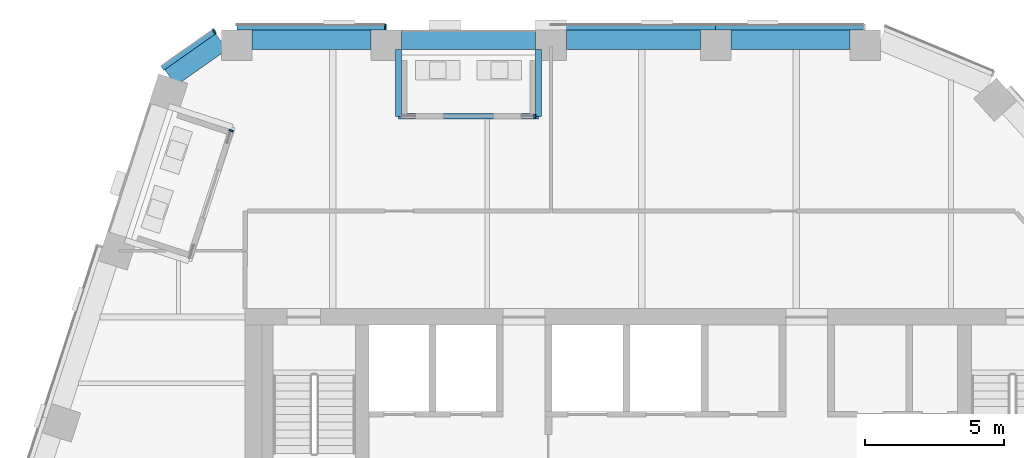
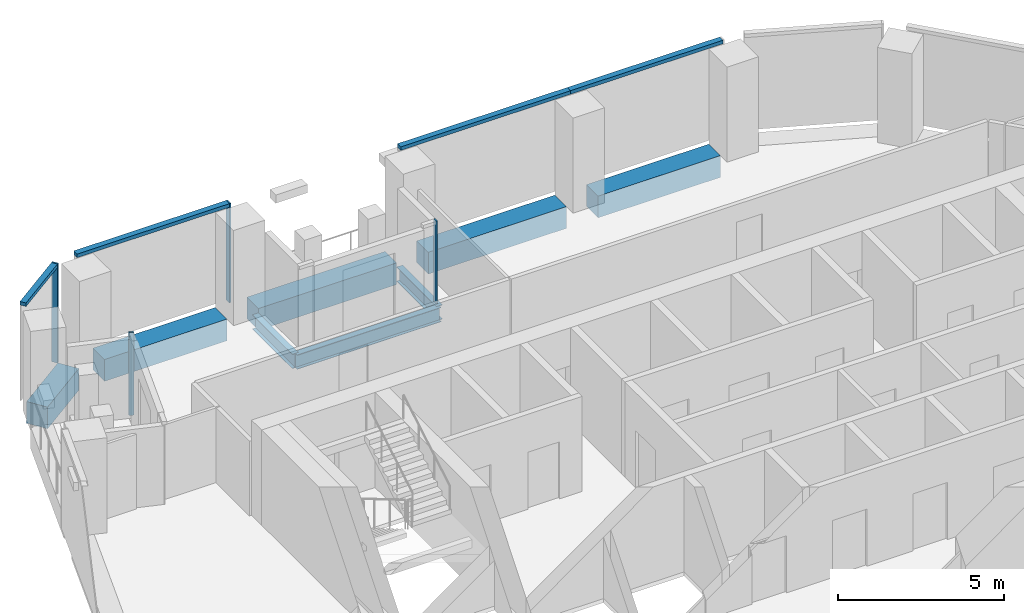
# One storey, part 8 of 25: 8 beams, 8 members, 4 elements without a shape of their own.
"""IFC4 building model written with IfcOpenShell, lengths in metres."""

from ifc_helpers import new_model, si_unit, direction, frame, origin, origin_2d, place, context, subcontext, project, spatial, rectangle, i_section, extrude, material, layer, layer_set, material_profile, profile_set, type_object, element, aggregate, save


model = new_model("IFC4")

# Units and contexts
model_context = context("Model", 3, precision=1e-05, world=origin(), true_north=direction((0.0, 1.0)))
body_context = subcontext(model_context, "Body", "Model", "MODEL_VIEW")
ifc_project = project(units=[si_unit("LENGTHUNIT", "METRE"), si_unit("AREAUNIT", "SQUARE_METRE"), si_unit("VOLUMEUNIT", "CUBIC_METRE"), si_unit("PLANEANGLEUNIT", "RADIAN"), si_unit("MASSUNIT", "GRAM", prefix="KILO")], contexts=[model_context])

# Site, building, storey
site_placement = place(None, origin())
site = spatial("IfcSite", under=ifc_project, at=site_placement, CompositionType="ELEMENT")
building_placement = place(site_placement, origin())
building = spatial("IfcBuilding", under=site, at=building_placement, Name="Isthmus Gate Tower", CompositionType="ELEMENT")
storey_placement = place(building_placement, frame((0.0, 0.0, 249.14990234375)))
storey = spatial("IfcBuildingStorey", under=building, at=storey_placement, Name="L63", CompositionType="ELEMENT", Elevation=249.14990234375)

# Curtain wall, member
ifc_material_1 = material(Name="Aluminium, pale champagne anodised", Category="aluminium")
ifc_layer_1 = layer(ifc_material_1, 0.199951171875)
ifc_layer_set_1 = layer_set([ifc_layer_1], Name="CW-1 UNITISED CURTAIN WALL 200 DEEP")
curtain_wall_type_1 = type_object("IfcCurtainWallType", Name="CW-1 UNITISED CURTAIN WALL 200 DEEP", PredefinedType="NOTDEFINED", material=ifc_layer_set_1)
curtain_wall_1_placement = place(storey_placement, origin())
curtain_wall_1 = element("IfcCurtainWall", 1, at=curtain_wall_1_placement, inside=storey, type_object=curtain_wall_type_1, Name="CW-1 N L63", PredefinedType="NOTDEFINED")
ifc_material_2 = material(Name="Aluminium, pale champagne anodised", Category="aluminium")
ifc_material_profile_1 = material_profile(ifc_material_2, rectangle(XDim=0.06005859375, YDim=0.199951171875, at=origin_2d()), Name="60x200")
ifc_profile_set_1 = profile_set([ifc_material_profile_1], Name="Aluminium, pale champagne anodised")
member_type_1 = type_object("IfcMemberType", Name="CW-1 MULLION 60 X 200", PredefinedType="MULLION", material=ifc_profile_set_1)
member_1_placement = place(storey_placement, frame((-9.970703125, 25.10009765625, 0.0), z_axis=(0.0, 0.0, 1.0), x_axis=(-1.0, 0.0, 0.0)))
member_1 = element("IfcMember", 2, at=member_1_placement, type_object=member_type_1, Name="CW-1 mullion", PredefinedType="MULLION", context=body_context, shape_type="SweptSolid", body=[
    extrude(rectangle(XDim=0.06005859375, YDim=0.199951171875, at=origin_2d()), origin(), (0.0, 0.0, 1.0), 3.650146484375),
])

curtain_wall_2_placement = place(storey_placement, origin())
curtain_wall_2 = element("IfcCurtainWall", 3, at=curtain_wall_2_placement, inside=storey, type_object=curtain_wall_type_1, Name="CW-1 N-NW L63", PredefinedType="NOTDEFINED")
member_2_placement = place(storey_placement, frame((-16.10595703125, 24.943115234375, 0.0), z_axis=(0.0, 0.0, 1.0), x_axis=(-0.81785959165, -0.57541783805, 0.0)))
member_2 = element("IfcMember", 4, at=member_2_placement, type_object=member_type_1, Name="CW-1 mullion", PredefinedType="MULLION", context=body_context, shape_type="SweptSolid", body=[
    extrude(rectangle(XDim=0.06005859375, YDim=0.199951171875, at=origin_2d()), origin(), (0.0, 0.0, 1.0), 3.650146484375),
])

# Member
ifc_material_3 = material(Name="Aluminium, pale champagne anodised", Category="aluminium")
ifc_material_profile_2 = material_profile(ifc_material_3, rectangle(XDim=0.199951171875, YDim=0.1298828125, at=origin_2d()), Name="200x130")
ifc_profile_set_2 = profile_set([ifc_material_profile_2], Name="Aluminium, pale champagne anodised")
member_type_2 = type_object("IfcMemberType", Name="CW-1 TRANSOM 200 X 130", PredefinedType="USERDEFINED", material=ifc_profile_set_2)
member_3_placement = place(storey_placement, frame((7.18115234375, 25.10009765625, 3.585205078125), z_axis=(-1.0, 0.0, 0.0), x_axis=(0.0, -1.0, 0.0)))
member_3 = element("IfcMember", 5, at=member_3_placement, type_object=member_type_2, Name="CW-1 transom", ObjectType="TRANSOM", PredefinedType="USERDEFINED", context=body_context, shape_type="SweptSolid", body=[
    extrude(rectangle(XDim=0.199951171875, YDim=0.1298828125, at=origin_2d()), origin(), (0.0, 0.0, 1.0), 5.300537109375),
])

member_4_placement = place(storey_placement, frame((1.880615234375, 25.10009765625, 3.585205078125), z_axis=(-1.0, 0.0, 0.0), x_axis=(0.0, -1.0, 0.0)))
member_4 = element("IfcMember", 6, at=member_4_placement, type_object=member_type_2, Name="CW-1 transom", ObjectType="TRANSOM", PredefinedType="USERDEFINED", context=body_context, shape_type="SweptSolid", body=[
    extrude(rectangle(XDim=0.199951171875, YDim=0.1298828125, at=origin_2d()), origin(), (0.0, 0.0, 1.0), 5.91064453125),
])

member_5_placement = place(storey_placement, frame((-10.000732421875, 25.10009765625, 3.585205078125), z_axis=(-1.0, 0.0, 0.0), x_axis=(0.0, -1.0, 0.0)))
member_5 = element("IfcMember", 7, at=member_5_placement, type_object=member_type_2, Name="CW-1 transom", ObjectType="TRANSOM", PredefinedType="USERDEFINED", context=body_context, shape_type="SweptSolid", body=[
    extrude(rectangle(XDim=0.199951171875, YDim=0.1298828125, at=origin_2d()), origin(), (0.0, 0.0, 1.0), 5.300537109375),
])

aggregate(curtain_wall_1, [member_3, member_4, member_1, member_5])

member_6_placement = place(storey_placement, frame((-16.130615234375, 24.92578125, 3.585205078125), z_axis=(-0.817868595604, -0.575405040233, 0.0), x_axis=(0.575405040233, -0.817868595604, 0.0)))
member_6 = element("IfcMember", 8, at=member_6_placement, type_object=member_type_2, Name="CW-1 transom", ObjectType="TRANSOM", PredefinedType="USERDEFINED", context=body_context, shape_type="SweptSolid", body=[
    extrude(rectangle(XDim=0.199951171875, YDim=0.1298828125, at=origin_2d()), origin(), (0.0, 0.0, 1.0), 2.258544921875),
])

aggregate(curtain_wall_2, [member_2, member_6])

# Curtain wall, member
ifc_material_4 = material(Name="Aluminium, pale champagne anodised", Category="aluminium")
ifc_layer_2 = layer(ifc_material_4, 0.14990234375)
ifc_layer_set_2 = layer_set([ifc_layer_2], Name="CW-6 LOGGIA BACK WALL GLAZING 150 DEEP")
curtain_wall_type_2 = type_object("IfcCurtainWallType", Name="CW-6 LOGGIA BACK WALL GLAZING 150 DEEP", PredefinedType="NOTDEFINED", material=ifc_layer_set_2)
curtain_wall_3_placement = place(storey_placement, origin())
curtain_wall_3 = element("IfcCurtainWall", 9, at=curtain_wall_3_placement, inside=storey, type_object=curtain_wall_type_2, Name="CW-6 N L63", PredefinedType="NOTDEFINED")
ifc_material_5 = material(Name="Aluminium, pale champagne anodised", Category="aluminium")
ifc_material_profile_3 = material_profile(ifc_material_5, rectangle(XDim=0.06005859375, YDim=0.14990234375, at=origin_2d()), Name="60x150")
ifc_profile_set_3 = profile_set([ifc_material_profile_3], Name="Aluminium, pale champagne anodised")
member_type_3 = type_object("IfcMemberType", Name="CW-6 MULLION 60 X 150", PredefinedType="MULLION", material=ifc_profile_set_3)
member_7_placement = place(storey_placement, frame((-4.610107421875, 21.89990234375, 0.0), z_axis=(0.0, 0.0, 1.0), x_axis=(-1.0, 0.0, 0.0)))
member_7 = element("IfcMember", 10, at=member_7_placement, type_object=member_type_3, Name="CW-6 mullion", PredefinedType="MULLION", context=body_context, shape_type="SweptSolid", body=[
    extrude(rectangle(XDim=0.06005859375, YDim=0.14990234375, at=origin_2d()), origin(), (0.0, 0.0, 1.0), 3.050048828125),
])
aggregate(curtain_wall_3, [member_7])

curtain_wall_4_placement = place(storey_placement, origin())
curtain_wall_4 = element("IfcCurtainWall", 11, at=curtain_wall_4_placement, inside=storey, type_object=curtain_wall_type_2, Name="CW-6 NW L63", PredefinedType="NOTDEFINED")
member_8_placement = place(storey_placement, frame((-15.505126953125, 21.38232421875, 0.0), z_axis=(0.0, 0.0, 1.0), x_axis=(-0.309016994375, -0.951056516295, 0.0)))
member_8 = element("IfcMember", 12, at=member_8_placement, type_object=member_type_3, Name="CW-6 mullion", PredefinedType="MULLION", context=body_context, shape_type="SweptSolid", body=[
    extrude(rectangle(XDim=0.06005859375, YDim=0.14990234375, at=origin_2d()), origin(), (0.0, 0.0, 1.0), 3.050048828125),
])
aggregate(curtain_wall_4, [member_8])

# Beams
ifc_material_6 = material(Name="Concrete f'c 50 MPa", Category="concrete")
ifc_material_profile_4 = material_profile(ifc_material_6, rectangle(XDim=0.699951171875, YDim=0.800048828125, at=origin_2d()), Name="RC 700X800")
ifc_profile_set_4 = profile_set([ifc_material_profile_4], Name="Concrete f'c 50 MPa")
beam_type_1 = type_object("IfcBeamType", Name="RC SPANDREL 700 X 800", PredefinedType="SPANDREL", material=ifc_profile_set_4)
beam_1_placement = place(storey_placement, frame((-17.68798828125, 23.27978515625, -0.39990234375), z_axis=(0.817855686701, 0.575423388237, 0.0), x_axis=(-0.575423388237, 0.817855686701, 0.0)))
element("IfcBeam", 13, at=beam_1_placement, inside=storey, type_object=beam_type_1, Name="str-spandrel-L63-25", PredefinedType="SPANDREL", context=body_context, shape_type="SweptSolid", body=[
    extrude(rectangle(XDim=0.699951171875, YDim=0.800048828125, at=origin_2d()), origin(), (0.0, 0.0, 1.0), 2.24560546875),
])
beam_2_placement = place(storey_placement, frame((-14.751220703125, 24.64990234375, -0.39990234375), z_axis=(1.0, 0.0, 0.0), x_axis=(0.0, 1.0, 0.0)))
element("IfcBeam", 14, at=beam_2_placement, inside=storey, type_object=beam_type_1, Name="str-spandrel-L63-26", PredefinedType="SPANDREL", context=body_context, shape_type="SweptSolid", body=[
    extrude(rectangle(XDim=0.699951171875, YDim=0.800048828125, at=origin_2d()), origin(), (0.0, 0.0, 1.0), 4.260498046875),
])
for number, where, z_axis, x_axis, name in (
    (15, (-9.390625, 24.64990234375, -0.39990234375), (1.0, 0.0, 0.0), (0.0, 1.0, 0.0), "str-spandrel-L63-27"),
    (16, (-3.47998046875, 24.64990234375, -0.39990234375), (1.0, 0.0, 0.0), (0.0, 1.0, 0.0), "str-spandrel-L63-28"),
):
    element("IfcBeam", number, at=place(storey_placement, frame(where, z_axis=z_axis, x_axis=x_axis)), inside=storey, type_object=beam_type_1, Name=name, PredefinedType="SPANDREL", context=body_context, shape_type="SweptSolid", body=[
        extrude(rectangle(XDim=0.699951171875, YDim=0.800048828125, at=origin_2d()), origin(), (0.0, 0.0, 1.0), 4.810546875),
    ])
beam_3_placement = place(storey_placement, frame((2.430419921875, 24.64990234375, -0.39990234375), z_axis=(1.0, 0.0, 0.0), x_axis=(0.0, 1.0, 0.0)))
element("IfcBeam", 17, at=beam_3_placement, inside=storey, type_object=beam_type_1, Name="str-spandrel-L63-29", PredefinedType="SPANDREL", context=body_context, shape_type="SweptSolid", body=[
    extrude(rectangle(XDim=0.699951171875, YDim=0.800048828125, at=origin_2d()), origin(), (0.0, 0.0, 1.0), 4.2607421875),
])
ifc_material_7 = material(Name="Structural steel ASTM A992 Gr 50", Category="steel")
ifc_material_profile_5 = material_profile(ifc_material_7, i_section(OverallWidth=0.20947265625, OverallDepth=0.533447265625, WebThickness=0.009521484375, FlangeThickness=0.015869140625, at=origin_2d()), Name="W21X62")
ifc_profile_set_5 = profile_set([ifc_material_profile_5], Name="Structural steel ASTM A992 Gr 50")
beam_type_2 = type_object("IfcBeamType", Name="STEEL TRIMMER W21X62", PredefinedType="BEAM", material=ifc_profile_set_5)
beam_4_placement = place(storey_placement, frame((-4.475341796875, 21.895263671875, -0.41650390625), z_axis=(-1.0, 0.0, 0.0), x_axis=(0.0, -1.0, 0.0)))
element("IfcBeam", 18, at=beam_4_placement, inside=storey, type_object=beam_type_2, Name="str-loggiatrim-L63-01-B", PredefinedType="BEAM", context=body_context, shape_type="SweptSolid", body=[
    extrude(i_section(OverallWidth=0.20947265625, OverallDepth=0.533447265625, WebThickness=0.009521484375, FlangeThickness=0.015869140625, at=origin_2d()), origin(), (0.0, 0.0, 1.0), 5.02001953125),
])
for number, where, z_axis, x_axis, name in (
    (19, (-4.475341796875, 24.300048828125, -0.41650390625), (0.0, -1.0, 0.0), (1.0, 0.0, 0.0), "str-loggiatrim-L63-01-A"),
    (20, (-9.495361328125, 24.300048828125, -0.41650390625), (0.0, -1.0, 0.0), (1.0, 0.0, 0.0), "str-loggiatrim-L63-01-C"),
):
    element("IfcBeam", number, at=place(storey_placement, frame(where, z_axis=z_axis, x_axis=x_axis)), inside=storey, type_object=beam_type_2, Name=name, PredefinedType="BEAM", context=body_context, shape_type="SweptSolid", body=[
        extrude(i_section(OverallWidth=0.20947265625, OverallDepth=0.533447265625, WebThickness=0.009521484375, FlangeThickness=0.015869140625, at=origin_2d()), origin(), (0.0, 0.0, 1.0), 2.40478515625),
    ])

save(model, "model.ifc")
